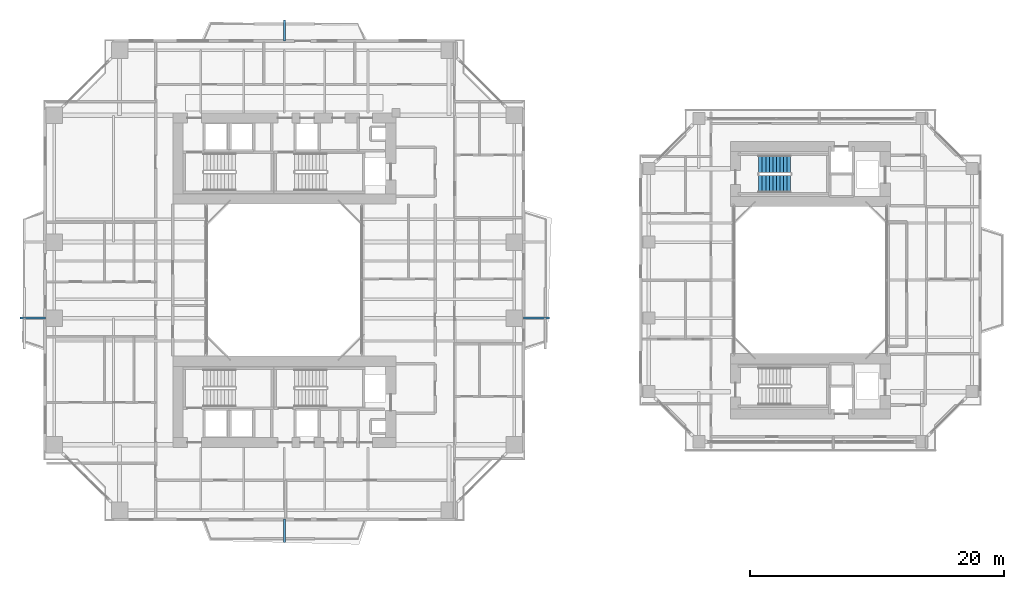
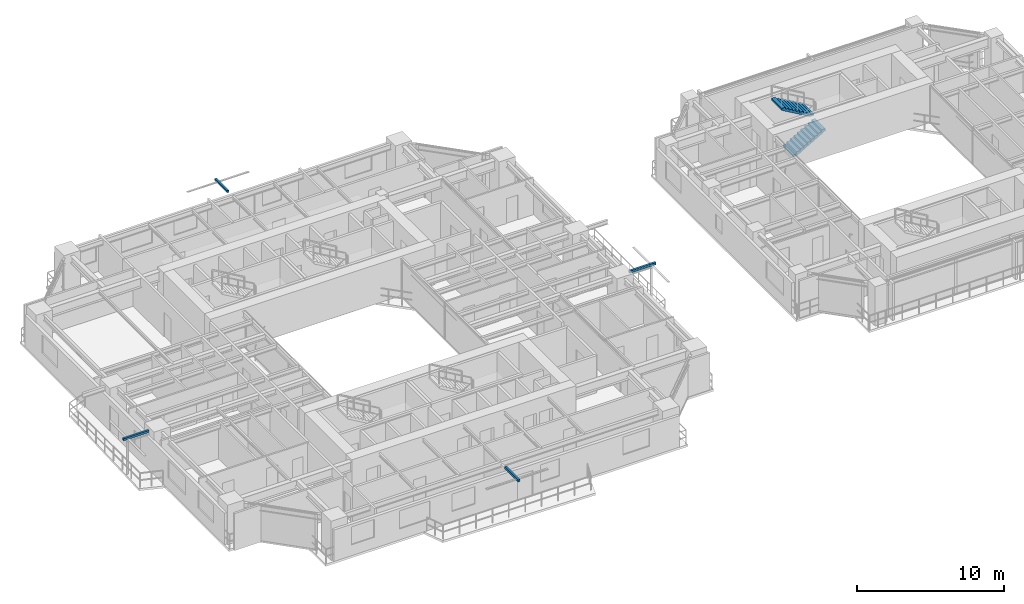
# One storey, part 19 of 24: 4 discrete accessories, 2 stair flights, 1 element without a shape of its own.
"""IFC4 building model written with IfcOpenShell, lengths in metres."""

from ifc_helpers import new_model, si_unit, direction, frame, origin, origin_2d, place, context, subcontext, project, spatial, polyline, rectangle, outline, extrude, source, transform, mapped, material, type_object, element, aggregate, save


model = new_model("IFC4")

# Units and contexts
model_context = context("Model", 3, precision=1e-05, world=origin(), true_north=direction((0.0, 1.0)))
body_context = subcontext(model_context, "Body", "Model", "MODEL_VIEW")
ifc_project = project(units=[si_unit("LENGTHUNIT", "METRE"), si_unit("AREAUNIT", "SQUARE_METRE"), si_unit("VOLUMEUNIT", "CUBIC_METRE"), si_unit("PLANEANGLEUNIT", "RADIAN"), si_unit("MASSUNIT", "GRAM", prefix="KILO"), si_unit("THERMODYNAMICTEMPERATUREUNIT", "KELVIN"), si_unit("POWERUNIT", "WATT")], contexts=[model_context])

# Site, building, storey
site_placement = place(None, origin())
site = spatial("IfcSite", under=ifc_project, at=site_placement, CompositionType="ELEMENT")
building_placement = place(site_placement, origin())
building = spatial("IfcBuilding", under=site, at=building_placement, Name="Qiaomeng Ring Towers", CompositionType="ELEMENT")
storey_placement = place(building_placement, frame((0.0, 0.0, 36.0)))
storey = spatial("IfcBuildingStorey", under=building, at=storey_placement, Name="L09", CompositionType="ELEMENT", Elevation=36.0)

# Stair, stair flights
ifc_material_1 = material(Name="Precast concrete C40", Category="concrete")
stair_type = type_object("IfcStairType", Name="ARC-ST-325", PredefinedType="HALF_TURN_STAIR", material=ifc_material_1)
stair_placement = place(storey_placement, origin())
stair = element("IfcStair", 1, at=stair_placement, inside=storey, type_object=stair_type, Name="L09 Companion North Stair 5", PredefinedType="HALF_TURN_STAIR")
stair_flight_type = type_object("IfcStairFlightType", Name="ARC-ST-325-FL", PredefinedType="STRAIGHT", material=ifc_material_1)
shared_shape_1 = source(origin(), body_context, "Body", "SweptSolid", [
    extrude(outline(polyline([(0.0, 0.0), (0.0, 0.16259765625), (0.280029296875, 0.16259765625), (0.280029296875, 0.324951171875), (0.56005859375, 0.324951171875), (0.56005859375, 0.487548828125), (0.840087890625, 0.487548828125), (0.840087890625, 0.64990234375), (1.1201171875, 0.64990234375), (1.1201171875, 0.8125), (1.39990234375, 0.8125), (1.39990234375, 0.97509765625), (1.679931640625, 0.97509765625), (1.679931640625, 1.137451171875), (1.9599609375, 1.137451171875), (1.9599609375, 1.300048828125), (2.239990234375, 1.300048828125), (2.239990234375, 1.46240234375), (2.52001953125, 1.46240234375), (2.52001953125, 1.625), (2.52001953125, 1.2890625), (0.298583984375, 0.0), (0.0, 0.0)])), frame((0.0, 0.699951171875, 0.0), z_axis=(0.0, -1.0, 0.0), x_axis=(1.0, 0.0, 0.0)), (0.0, 0.0, 1.0), 1.39990234375),
])
stair_flight_1_placement = place(storey_placement, frame((56.419921875, 30.60009765625, 0.0), z_axis=(0.0, 0.0, 1.0), x_axis=(1.0, 0.0, 0.0)))
stair_flight_1 = element("IfcStairFlight", 2, at=stair_flight_1_placement, type_object=stair_flight_type, Name="ST5 flight 1", NumberOfRisers=10, NumberOfTreads=9, PredefinedType="STRAIGHT", RiserHeight=0.1625, TreadLength=0.28, context=body_context, shape_type="MappedRepresentation", body=[
    mapped(shared_shape_1, transform((0.0, 0.0, 0.0), x_axis=(1.0, 0.0, 0.0), y_axis=(0.0, 1.0, 0.0), z_axis=(0.0, 0.0, 1.0), scale=1.0)),
])
stair_flight_2_placement = place(storey_placement, frame((58.93994140625, 32.139892578125, 1.625), z_axis=(0.0, 0.0, 1.0), x_axis=(-1.0, 0.0, 0.0)))
stair_flight_2 = element("IfcStairFlight", 3, at=stair_flight_2_placement, type_object=stair_flight_type, Name="ST5 flight 2", NumberOfRisers=10, NumberOfTreads=9, PredefinedType="STRAIGHT", RiserHeight=0.1625, TreadLength=0.28, context=body_context, shape_type="MappedRepresentation", body=[
    mapped(shared_shape_1, transform((0.0, 0.0, 0.0), x_axis=(1.0, 0.0, 0.0), y_axis=(0.0, 1.0, 0.0), z_axis=(0.0, 0.0, 1.0), scale=1.0)),
])
aggregate(stair, [stair_flight_1, stair_flight_2])

# Discrete accessories
ifc_material_2 = material(Name="Stainless steel 316", Category="steel")
discrete_accessory_type = type_object("IfcDiscreteAccessoryType", Name="ARC-ACC-BRACKET", PredefinedType="BRACKET", material=ifc_material_2)
shared_shape_2 = source(origin(), body_context, "Body", "SweptSolid", [
    extrude(rectangle(XDim=0.159912109375, YDim=1.85009765625, at=origin_2d()), origin(), (0.0, 0.0, 1.0), 0.179931640625),
])
discrete_accessory_1_placement = place(storey_placement, frame((19.0, 3.22509765625, 2.89990234375), z_axis=(0.0, 0.0, 1.0), x_axis=(1.0, 0.0, 0.0)))
element("IfcDiscreteAccessory", 4, at=discrete_accessory_1_placement, inside=storey, type_object=discrete_accessory_type, Name="L09 Stainless Outer-Skin Tie Bracket S", PredefinedType="BRACKET", context=body_context, shape_type="MappedRepresentation", body=[
    mapped(shared_shape_2, transform((0.0, 0.0, 0.0), x_axis=(1.0, 0.0, 0.0), y_axis=(0.0, 1.0, 0.0), z_axis=(0.0, 0.0, 1.0), scale=1.0)),
])
shared_shape_3 = source(origin(), body_context, "Body", "SweptSolid", [
    extrude(rectangle(XDim=0.159912109375, YDim=1.669921875, at=origin_2d()), origin(), (0.0, 0.0, 1.0), 0.179931640625),
])
discrete_accessory_2_placement = place(storey_placement, frame((19.0, 42.68505859375, 2.89990234375), z_axis=(0.0, 0.0, 1.0), x_axis=(1.0, 0.0, 0.0)))
element("IfcDiscreteAccessory", 5, at=discrete_accessory_2_placement, inside=storey, type_object=discrete_accessory_type, Name="L09 Stainless Outer-Skin Tie Bracket N", PredefinedType="BRACKET", context=body_context, shape_type="MappedRepresentation", body=[
    mapped(shared_shape_3, transform((0.0, 0.0, 0.0), x_axis=(1.0, 0.0, 0.0), y_axis=(0.0, 1.0, 0.0), z_axis=(0.0, 0.0, 1.0), scale=1.0)),
])
shared_shape_4 = source(origin(), body_context, "Body", "SweptSolid", [
    extrude(rectangle(XDim=2.0, YDim=0.159912109375, at=origin_2d()), origin(), (0.0, 0.0, 1.0), 0.179931640625),
])
discrete_accessory_3_placement = place(storey_placement, frame((-0.85009765625, 20.0, 2.89990234375), z_axis=(0.0, 0.0, 1.0), x_axis=(1.0, 0.0, 0.0)))
element("IfcDiscreteAccessory", 6, at=discrete_accessory_3_placement, inside=storey, type_object=discrete_accessory_type, Name="L09 Stainless Outer-Skin Tie Bracket W", PredefinedType="BRACKET", context=body_context, shape_type="MappedRepresentation", body=[
    mapped(shared_shape_4, transform((0.0, 0.0, 0.0), x_axis=(1.0, 0.0, 0.0), y_axis=(0.0, 1.0, 0.0), z_axis=(0.0, 0.0, 1.0), scale=1.0)),
])
shared_shape_5 = source(origin(), body_context, "Body", "SweptSolid", [
    extrude(rectangle(XDim=2.070068359375, YDim=0.159912109375, at=origin_2d()), origin(), (0.0, 0.0, 1.0), 0.179931640625),
])
discrete_accessory_4_placement = place(storey_placement, frame((38.885009765625, 20.0, 2.89990234375), z_axis=(0.0, 0.0, 1.0), x_axis=(1.0, 0.0, 0.0)))
element("IfcDiscreteAccessory", 7, at=discrete_accessory_4_placement, inside=storey, type_object=discrete_accessory_type, Name="L09 Stainless Outer-Skin Tie Bracket E", PredefinedType="BRACKET", context=body_context, shape_type="MappedRepresentation", body=[
    mapped(shared_shape_5, transform((0.0, 0.0, 0.0), x_axis=(1.0, 0.0, 0.0), y_axis=(0.0, 1.0, 0.0), z_axis=(0.0, 0.0, 1.0), scale=1.0)),
])

save(model, "model.ifc")
